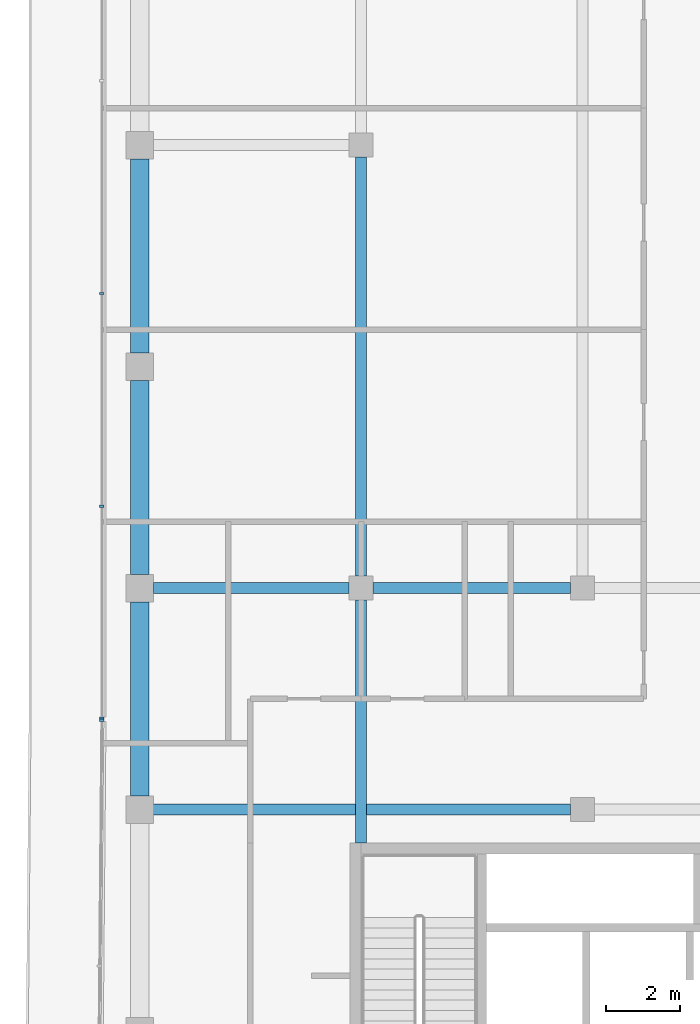
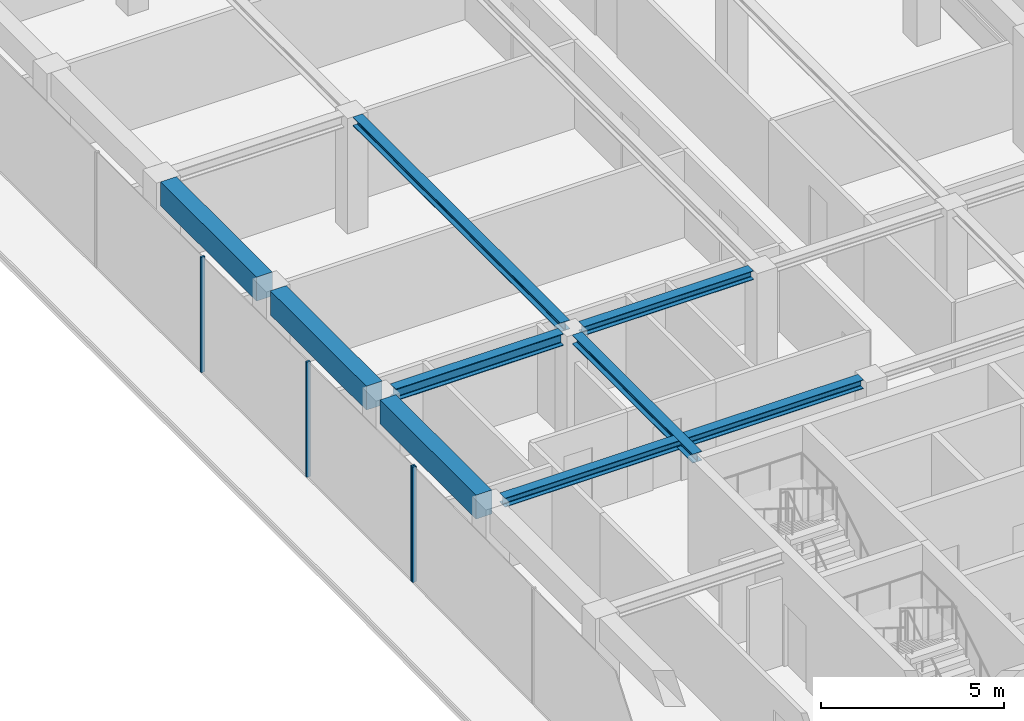
# One storey, part 6 of 18: 8 beams, 4 members, 2 elements without a shape of their own.
"""IFC4 building model written with IfcOpenShell, lengths in metres."""

from ifc_helpers import new_model, si_unit, direction, frame, origin, origin_2d, place, context, subcontext, project, spatial, rectangle, i_section, extrude, material, layer, layer_set, material_profile, profile_set, type_object, element, aggregate, save


model = new_model("IFC4")

# Units and contexts
model_context = context("Model", 3, precision=1e-05, world=origin(), true_north=direction((0.0, 1.0)))
body_context = subcontext(model_context, "Body", "Model", "MODEL_VIEW")
ifc_project = project(units=[si_unit("LENGTHUNIT", "METRE"), si_unit("AREAUNIT", "SQUARE_METRE"), si_unit("VOLUMEUNIT", "CUBIC_METRE"), si_unit("PLANEANGLEUNIT", "RADIAN"), si_unit("MASSUNIT", "GRAM", prefix="KILO")], contexts=[model_context])

# Site, building, storey
site_placement = place(None, origin())
site = spatial("IfcSite", under=ifc_project, at=site_placement, CompositionType="ELEMENT")
building_placement = place(site_placement, origin())
building = spatial("IfcBuilding", under=site, at=building_placement, Name="Welwitschia Terrace Campus", CompositionType="ELEMENT")
storey_placement = place(building_placement, frame((0.0, 0.0, 285.199951171875)))
storey = spatial("IfcBuildingStorey", under=building, at=storey_placement, Name="L63", CompositionType="ELEMENT", Elevation=285.199951171875)

# Beams
ifc_material_1 = material(Name="Steel S355", Category="steel")
ifc_material_profile_1 = material_profile(ifc_material_1, i_section(OverallWidth=0.300048828125, OverallDepth=0.300048828125, WebThickness=0.010986328125, FlangeThickness=0.01904296875, FilletRadius=0.027099609375, at=origin_2d()))
ifc_profile_set_1 = profile_set([ifc_material_profile_1], Name="Steel S355")
beam_type_1 = type_object("IfcBeamType", Name="Interior girder HE 300 B", PredefinedType="BEAM", material=ifc_profile_set_1)
beam_1_placement = place(storey_placement, frame((0.365478515625, 26.0, 3.699951171875), z_axis=(1.0, 0.0, 0.0), x_axis=(0.0, 1.0, 0.0)))
element("IfcBeam", 1, at=beam_1_placement, inside=storey, type_object=beam_type_1, Name="Girder GB6", PredefinedType="BEAM", context=body_context, shape_type="SweptSolid", body=[
    extrude(i_section(OverallWidth=0.300048828125, OverallDepth=0.300048828125, WebThickness=0.010986328125, FlangeThickness=0.01904296875, FilletRadius=0.027099609375, at=origin_2d()), origin(), (0.0, 0.0, 1.0), 11.30908203125),
])
beam_2_placement = place(storey_placement, frame((6.325439453125, 32.0, 3.699951171875), z_axis=(1.0, 0.0, 0.0), x_axis=(0.0, 1.0, 0.0)))
element("IfcBeam", 2, at=beam_2_placement, inside=storey, type_object=beam_type_1, Name="Girder GB6", PredefinedType="BEAM", context=body_context, shape_type="SweptSolid", body=[
    extrude(i_section(OverallWidth=0.300048828125, OverallDepth=0.300048828125, WebThickness=0.010986328125, FlangeThickness=0.01904296875, FilletRadius=0.027099609375, at=origin_2d()), origin(), (0.0, 0.0, 1.0), 5.34912109375),
])
beam_3_placement = place(storey_placement, frame((6.0, 25.10107421875, 3.699951171875), z_axis=(0.0, 1.0, 0.0), x_axis=(-1.0, 0.0, 0.0)))
element("IfcBeam", 3, at=beam_3_placement, inside=storey, type_object=beam_type_1, Name="Girder GB6", PredefinedType="BEAM", context=body_context, shape_type="SweptSolid", body=[
    extrude(i_section(OverallWidth=0.300048828125, OverallDepth=0.300048828125, WebThickness=0.010986328125, FlangeThickness=0.01904296875, FilletRadius=0.027099609375, at=origin_2d()), origin(), (0.0, 0.0, 1.0), 6.573486328125),
])
beam_4_placement = place(storey_placement, frame((6.0, 32.325439453125, 3.699951171875), z_axis=(0.0, 1.0, 0.0), x_axis=(-1.0, 0.0, 0.0)))
element("IfcBeam", 4, at=beam_4_placement, inside=storey, type_object=beam_type_1, Name="Girder GB6", PredefinedType="BEAM", context=body_context, shape_type="SweptSolid", body=[
    extrude(i_section(OverallWidth=0.300048828125, OverallDepth=0.300048828125, WebThickness=0.010986328125, FlangeThickness=0.01904296875, FilletRadius=0.027099609375, at=origin_2d()), origin(), (0.0, 0.0, 1.0), 11.34912109375),
])

# Curtain wall, members
ifc_material_2 = material(Name="Bronze anodised aluminium", Category="aluminium")
ifc_layer = layer(ifc_material_2, 0.1201171875)
ifc_layer_set = layer_set([ifc_layer], Name="Bronze anodised aluminium")
curtain_wall_type = type_object("IfcCurtainWallType", Name="Curtain wall CW2 tower 6000", PredefinedType="NOTDEFINED", material=ifc_layer_set)
curtain_wall_1_placement = place(storey_placement, origin())
curtain_wall_1 = element("IfcCurtainWall", 5, at=curtain_wall_1_placement, inside=storey, type_object=curtain_wall_type, Name="CW L63.1.0", PredefinedType="NOTDEFINED")
ifc_material_3 = material(Name="Bronze anodised aluminium", Category="aluminium")
ifc_material_profile_2 = material_profile(ifc_material_3, rectangle(XDim=0.1201171875, YDim=0.06005859375, at=origin_2d()))
ifc_profile_set_2 = profile_set([ifc_material_profile_2], Name="Bronze anodised aluminium")
member_type = type_object("IfcMemberType", Name="Mullion 60x120", PredefinedType="MULLION", material=ifc_profile_set_2)
member_1_placement = place(storey_placement, frame((-1.030029296875, 39.97900390625, 0.0), z_axis=(0.0, 0.0, 1.0), x_axis=(1.0, 0.0, 0.0)))
member_1 = element("IfcMember", 6, at=member_1_placement, type_object=member_type, Name="Mullion L63.1.0.4", PredefinedType="MULLION", context=body_context, shape_type="SweptSolid", body=[
    extrude(rectangle(XDim=0.1201171875, YDim=0.06005859375, at=origin_2d()), origin(), (0.0, 0.0, 1.0), 3.85009765625),
])
member_2_placement = place(storey_placement, frame((-1.030029296875, 34.21630859375, 0.0), z_axis=(0.0, 0.0, 1.0), x_axis=(1.0, 0.0, 0.0)))
member_2 = element("IfcMember", 7, at=member_2_placement, type_object=member_type, Name="Mullion L63.1.0.5", PredefinedType="MULLION", context=body_context, shape_type="SweptSolid", body=[
    extrude(rectangle(XDim=0.1201171875, YDim=0.06005859375, at=origin_2d()), origin(), (0.0, 0.0, 1.0), 3.85009765625),
])
member_3_placement = place(storey_placement, frame((-1.030029296875, 28.483642578125, 0.0), z_axis=(0.0, 0.0, 1.0), x_axis=(1.0, 0.0, 0.0)))
member_3 = element("IfcMember", 8, at=member_3_placement, type_object=member_type, Name="Mullion L63.1.0.6", PredefinedType="MULLION", context=body_context, shape_type="SweptSolid", body=[
    extrude(rectangle(XDim=0.1201171875, YDim=0.06005859375, at=origin_2d()), origin(), (0.0, 0.0, 1.0), 3.85009765625),
])
aggregate(curtain_wall_1, [member_1, member_2, member_3])

# Curtain wall, member
curtain_wall_2_placement = place(storey_placement, origin())
curtain_wall_2 = element("IfcCurtainWall", 9, at=curtain_wall_2_placement, inside=storey, type_object=curtain_wall_type, Name="CW L63.2.0", PredefinedType="NOTDEFINED")
member_4_placement = place(storey_placement, frame((-1.0302734375, 28.423583984375, 0.0), z_axis=(0.0, 0.0, 1.0), x_axis=(0.999961923064, -0.008726535498, 0.0)))
member_4 = element("IfcMember", 10, at=member_4_placement, type_object=member_type, Name="Mullion L63.2.0.0", PredefinedType="MULLION", context=body_context, shape_type="SweptSolid", body=[
    extrude(rectangle(XDim=0.1201171875, YDim=0.06005859375, at=origin_2d()), origin(), (0.0, 0.0, 1.0), 3.85009765625),
])
aggregate(curtain_wall_2, [member_4])

# Beams
ifc_material_4 = material(Name="Steel S355", Category="steel")
ifc_material_profile_3 = material_profile(ifc_material_4, i_section(OverallWidth=0.300048828125, OverallDepth=0.39990234375, WebThickness=0.013427734375, FlangeThickness=0.02392578125, FilletRadius=0.027099609375, at=origin_2d()))
ifc_profile_set_3 = profile_set([ifc_material_profile_3], Name="Steel S355")
beam_type_2 = type_object("IfcBeamType", Name="Primary beam HE 400 B", PredefinedType="BEAM", material=ifc_profile_set_3)
beam_5_placement = place(storey_placement, frame((0.37548828125, 32.0, 3.650146484375), z_axis=(1.0, 0.0, 0.0), x_axis=(0.0, 1.0, 0.0)))
element("IfcBeam", 11, at=beam_5_placement, inside=storey, type_object=beam_type_2, Name="Primary beam PB6", PredefinedType="BEAM", context=body_context, shape_type="SweptSolid", body=[
    extrude(i_section(OverallWidth=0.300048828125, OverallDepth=0.39990234375, WebThickness=0.013427734375, FlangeThickness=0.02392578125, FilletRadius=0.027099609375, at=origin_2d()), origin(), (0.0, 0.0, 1.0), 5.299072265625),
])
ifc_material_5 = material(Name="Concrete C50/60", Category="concrete")
ifc_material_profile_4 = material_profile(ifc_material_5, rectangle(XDim=0.5, YDim=0.800048828125, at=origin_2d()))
ifc_profile_set_4 = profile_set([ifc_material_profile_4], Name="Concrete C50/60")
beam_type_3 = type_object("IfcBeamType", Name="Ring spandrel 500x800", PredefinedType="SPANDREL", material=ifc_profile_set_4)
for number, where, z_axis, x_axis, name in (
    (12, (0.0, 43.62451171875, 3.449951171875), (0.0, -1.0, 0.0), (1.0, 0.0, 0.0), "Spandrel SP4"),
    (13, (0.0, 37.62451171875, 3.449951171875), (0.0, -1.0, 0.0), (1.0, 0.0, 0.0), "Spandrel SP4"),
    (14, (0.0, 31.62451171875, 3.449951171875), (0.0, -1.0, 0.0), (1.0, 0.0, 0.0), "Spandrel SP4"),
):
    element("IfcBeam", number, at=place(storey_placement, frame(where, z_axis=z_axis, x_axis=x_axis)), inside=storey, type_object=beam_type_3, Name=name, PredefinedType="SPANDREL", context=body_context, shape_type="SweptSolid", body=[
        extrude(rectangle(XDim=0.5, YDim=0.800048828125, at=origin_2d()), origin(), (0.0, 0.0, 1.0), 5.2490234375),
    ])

save(model, "model.ifc")
